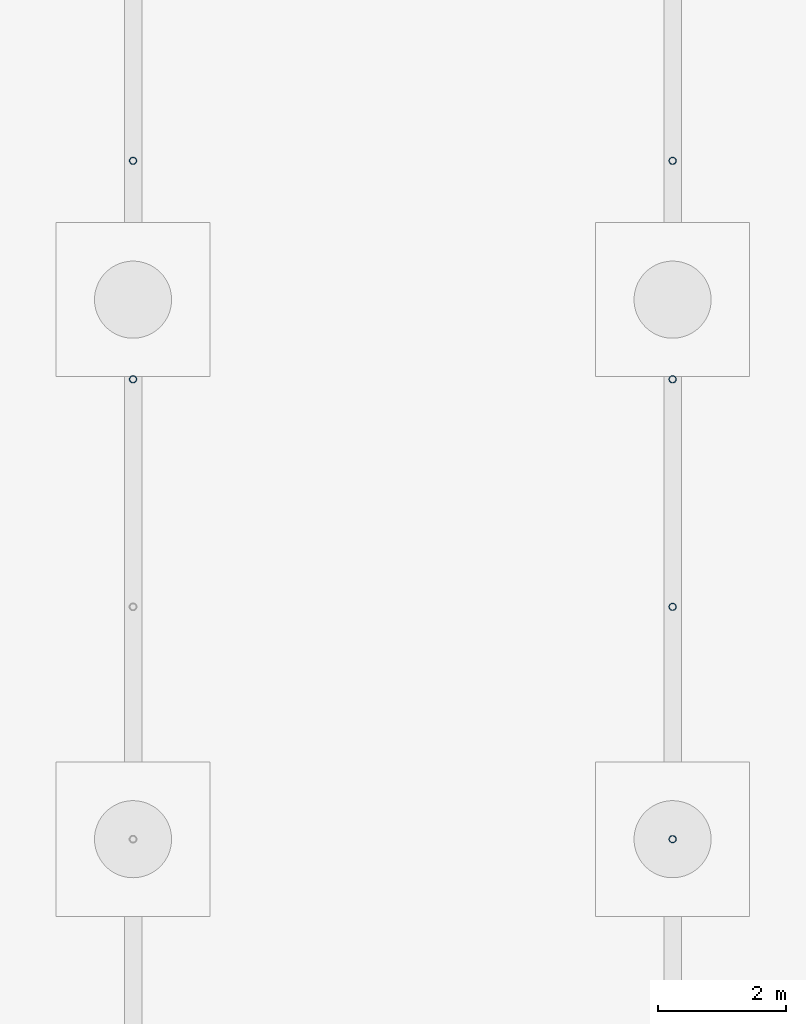
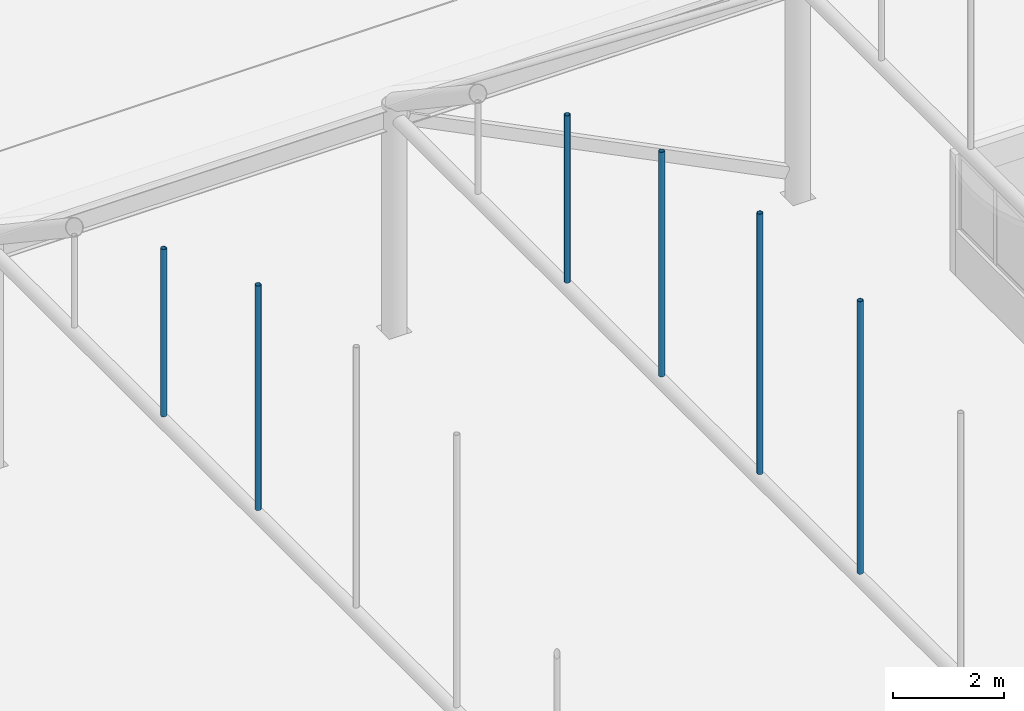
# One storey, part 73 of 212: 6 members.
"""IFC4 building model written with IfcOpenShell, lengths in metres."""

from ifc_helpers import new_model, si_unit, direction, frame, origin, origin_2d, place, context, subcontext, project, spatial, hollow_circle, extrude, material, material_profile, profile_set, type_object, element, save


model = new_model("IFC4")

# Units and contexts
model_context = context("Model", 3, precision=1e-05, world=origin(), true_north=direction((0.0, 1.0)))
body_context = subcontext(model_context, "Body", "Model", "MODEL_VIEW")
ifc_project = project(units=[si_unit("LENGTHUNIT", "METRE"), si_unit("AREAUNIT", "SQUARE_METRE"), si_unit("VOLUMEUNIT", "CUBIC_METRE"), si_unit("PLANEANGLEUNIT", "RADIAN"), si_unit("MASSUNIT", "GRAM", prefix="KILO")], contexts=[model_context])

# Site, building, storey
site_placement = place(None, origin())
site = spatial("IfcSite", under=ifc_project, at=site_placement, CompositionType="ELEMENT")
building_placement = place(site_placement, origin())
building = spatial("IfcBuilding", under=site, at=building_placement, Name="Catenary Quay Ferry Terminal", CompositionType="ELEMENT")
storey_placement = place(building_placement, origin())
storey = spatial("IfcBuildingStorey", under=building, at=storey_placement, Name="L00", CompositionType="ELEMENT", Elevation=0.0)

# Members
ifc_material = material(Name="Steel S355", Category="steel")
ifc_material_profile = material_profile(ifc_material, hollow_circle(Radius=0.05712890625, WallThickness=0.00634765625, at=origin_2d()), Name="CHS 114.3x6.3")
ifc_profile_set = profile_set([ifc_material_profile], Name="Steel S355")
member_type = type_object("IfcMemberType", Name="HG1 CHS 114.3x6.3", PredefinedType="POST", material=ifc_profile_set)
member_1_placement = place(storey_placement, frame((84.0, 40.760009765625, 4.830078125), z_axis=(0.0, 0.0, 1.0), x_axis=(1.0, 0.0, 0.0)))
element("IfcMember", 1, at=member_1_placement, inside=storey, type_object=member_type, Name="Hanger CA-09-07", PredefinedType="POST", context=body_context, shape_type="SweptSolid", body=[
    extrude(hollow_circle(Radius=0.05712890625, WallThickness=0.00634765625, at=origin_2d()), origin(), (0.0, 0.0, 1.0), 4.94287109375),
])
member_2_placement = place(storey_placement, frame((84.0, 44.162109375, 4.830078125), z_axis=(0.0, 0.0, 1.0), x_axis=(1.0, 0.0, 0.0)))
element("IfcMember", 2, at=member_2_placement, inside=storey, type_object=member_type, Name="Hanger CA-09-08", PredefinedType="POST", context=body_context, shape_type="SweptSolid", body=[
    extrude(hollow_circle(Radius=0.05712890625, WallThickness=0.00634765625, at=origin_2d()), origin(), (0.0, 0.0, 1.0), 3.681884765625),
])
member_3_placement = place(storey_placement, frame((92.39990234375, 33.60009765625, 4.830078125), z_axis=(0.0, 0.0, 1.0), x_axis=(1.0, 0.0, 0.0)))
element("IfcMember", 3, at=member_3_placement, inside=storey, type_object=member_type, Name="Hanger CA-10-05", PredefinedType="POST", context=body_context, shape_type="SweptSolid", body=[
    extrude(hollow_circle(Radius=0.05712890625, WallThickness=0.00634765625, at=origin_2d()), origin(), (0.0, 0.0, 1.0), 5.997802734375),
])
member_4_placement = place(storey_placement, frame((92.39990234375, 37.218017578125, 4.830078125), z_axis=(0.0, 0.0, 1.0), x_axis=(1.0, 0.0, 0.0)))
element("IfcMember", 4, at=member_4_placement, inside=storey, type_object=member_type, Name="Hanger CA-10-06", PredefinedType="POST", context=body_context, shape_type="SweptSolid", body=[
    extrude(hollow_circle(Radius=0.05712890625, WallThickness=0.00634765625, at=origin_2d()), origin(), (0.0, 0.0, 1.0), 5.72998046875),
])
member_5_placement = place(storey_placement, frame((92.39990234375, 40.760009765625, 4.830078125), z_axis=(0.0, 0.0, 1.0), x_axis=(1.0, 0.0, 0.0)))
element("IfcMember", 5, at=member_5_placement, inside=storey, type_object=member_type, Name="Hanger CA-10-07", PredefinedType="POST", context=body_context, shape_type="SweptSolid", body=[
    extrude(hollow_circle(Radius=0.05712890625, WallThickness=0.00634765625, at=origin_2d()), origin(), (0.0, 0.0, 1.0), 4.94287109375),
])
member_6_placement = place(storey_placement, frame((92.39990234375, 44.162109375, 4.830078125), z_axis=(0.0, 0.0, 1.0), x_axis=(1.0, 0.0, 0.0)))
element("IfcMember", 6, at=member_6_placement, inside=storey, type_object=member_type, Name="Hanger CA-10-08", PredefinedType="POST", context=body_context, shape_type="SweptSolid", body=[
    extrude(hollow_circle(Radius=0.05712890625, WallThickness=0.00634765625, at=origin_2d()), origin(), (0.0, 0.0, 1.0), 3.681884765625),
])

save(model, "model.ifc")
